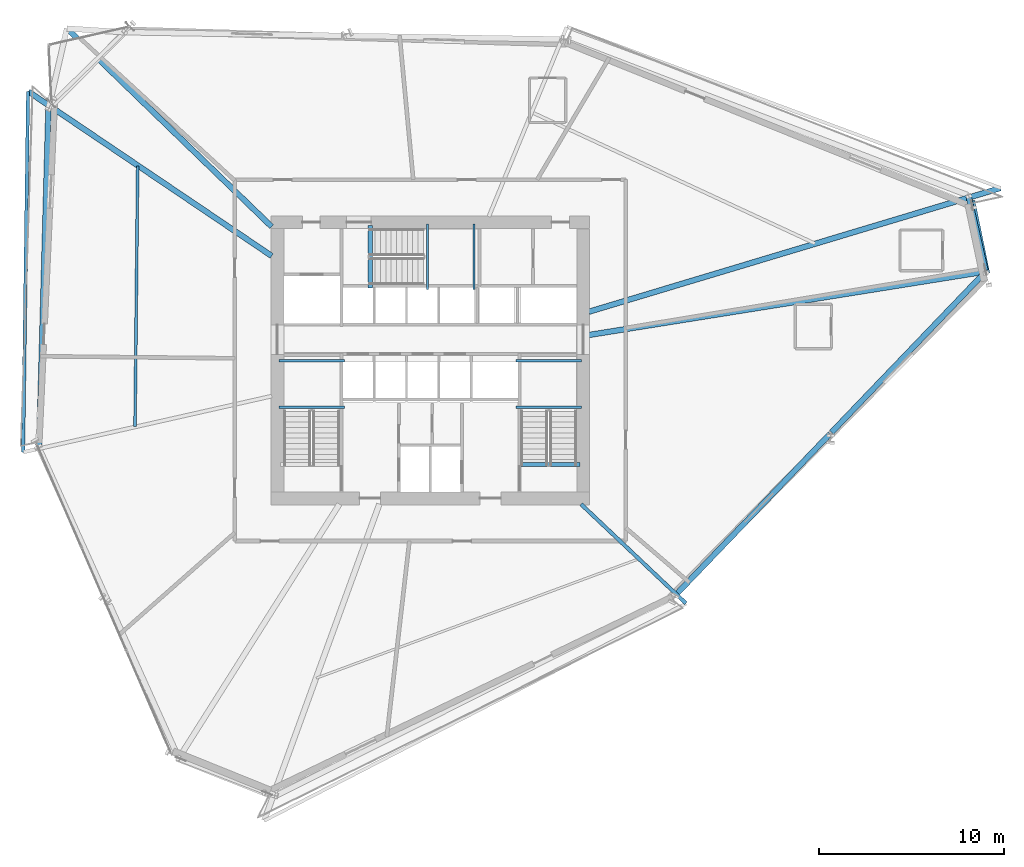
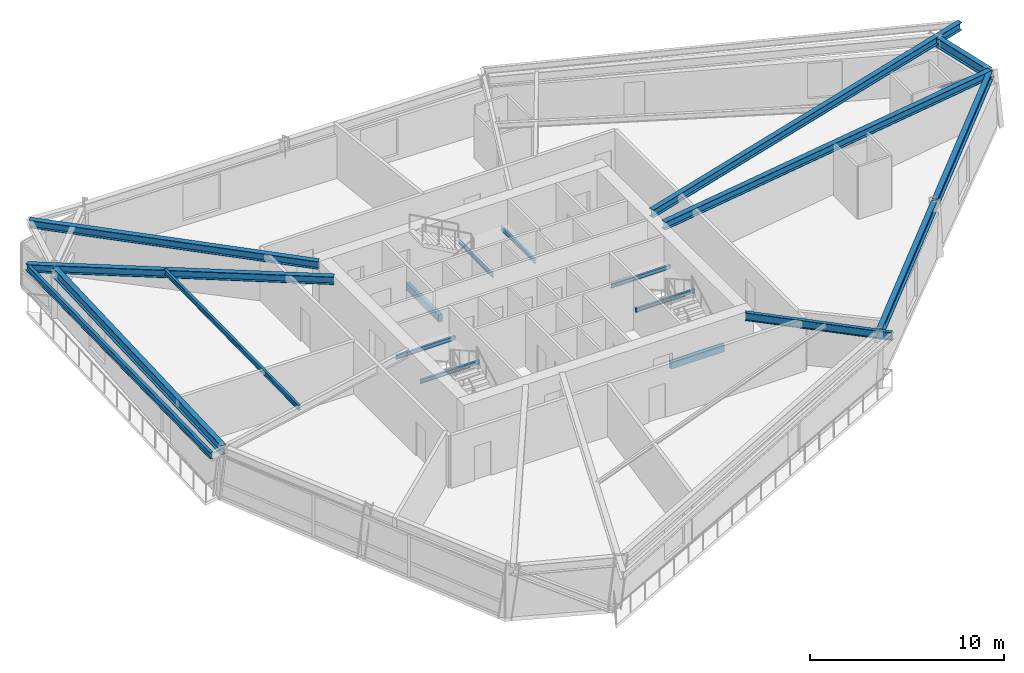
# One storey, part 7 of 19: 19 beams, 1 member.
"""IFC4 building model written with IfcOpenShell, lengths in metres."""

import ifcopenshell
import ifcopenshell.guid

model = None  # the IFC model being written
_history = None  # IfcOwnerHistory: only IFC2X3 demands one
_inside = {}  # id of a spatial element -> (the spatial element, [elements in it])
_under = {}  # id of a project, library or spatial element -> (it, [spatial elements below it])
_declared = {}  # id of a project -> (the project, [libraries it declares])
_typed = {}  # id of a type object -> (the type object, [elements of that type])
_made_of = {}  # id of a material, layer set ... -> (it, [elements and type objects made of it])


def new_model(schema):
    """Start an empty IFC model of exactly this schema.

    Asked for "IFC4X3", IfcOpenShell would pick the latest addendum, in which some entities
    have other attributes; the version numbers below select the first issue.
    IFC2X3 requires an IfcOwnerHistory on every rooted entity: one is made here for all.
    """
    global model, _history
    if schema == "IFC4X3":
        model = ifcopenshell.file(schema_version=(4, 3, 0, 0))
    else:
        model = ifcopenshell.file(schema=schema)
    _inside.clear()
    _under.clear()
    _declared.clear()
    _typed.clear()
    _made_of.clear()
    _history = None
    if model.schema == "IFC2X3":
        org = make("IfcOrganization", Name="unknown")
        user = make(
            "IfcPersonAndOrganization",
            ThePerson=make("IfcPerson", FamilyName="unknown"),
            TheOrganization=org,
        )
        app = make(
            "IfcApplication",
            ApplicationDeveloper=org,
            Version="unknown",
            ApplicationFullName="unknown",
            ApplicationIdentifier="unknown",
        )
        _history = make(
            "IfcOwnerHistory",
            OwningUser=user,
            OwningApplication=app,
            ChangeAction="ADDED",
            CreationDate=0,
        )
    return model


def make(cls, **values):
    """One entity of the class cls with the attributes given. An attribute that is None is left unset."""
    return model.create_entity(
        cls, **{name: value for name, value in values.items() if value is not None}
    )


def rooted(cls, **values):
    """An entity with a GlobalId (a new one), such as an element, a storey or a relation."""
    return make(cls, GlobalId=ifcopenshell.guid.new(), OwnerHistory=_history, **values)


def si_unit(unit_type, name, prefix=None):
    """IfcSIUnit, for example si_unit("LENGTHUNIT", "METRE", prefix="MILLI")."""
    return make("IfcSIUnit", UnitType=unit_type, Prefix=prefix, Name=name)


def assignment(units):
    """IfcUnitAssignment: the units of a project."""
    return None if units is None else make("IfcUnitAssignment", Units=units)


def point(xyz):
    """IfcCartesianPoint."""
    return None if xyz is None else make("IfcCartesianPoint", Coordinates=xyz)


def direction(xyz):
    """IfcDirection."""
    return None if xyz is None else make("IfcDirection", DirectionRatios=xyz)


def frame(location, z_axis=None, x_axis=None):
    """IfcAxis2Placement3D, a coordinate frame: its origin and axes. An axis left out is left unset."""
    return make(
        "IfcAxis2Placement3D",
        Location=point(location),
        Axis=direction(z_axis),
        RefDirection=direction(x_axis),
    )


def frame_2d(location, x_axis=None):
    """IfcAxis2Placement2D, a coordinate frame in the plane: its origin and x axis."""
    return make(
        "IfcAxis2Placement2D", Location=point(location), RefDirection=direction(x_axis)
    )


def origin():
    """The frame at (0, 0, 0) with its axes left unset."""
    return frame((0.0, 0.0, 0.0))


def origin_2d():
    """The frame at (0, 0) in the plane with its x axis left unset."""
    return frame_2d((0.0, 0.0))


def place(relative_to, where):
    """IfcLocalPlacement: puts the frame where relative to a parent placement (None: the world)."""
    return make(
        "IfcLocalPlacement", PlacementRelTo=relative_to, RelativePlacement=where
    )


def context(
    kind, dimensions, precision=None, world=None, true_north=None, identifier=None
):
    """IfcGeometricRepresentationContext, for example the 3D "Model" context."""
    return make(
        "IfcGeometricRepresentationContext",
        ContextIdentifier=identifier,
        ContextType=kind,
        CoordinateSpaceDimension=dimensions,
        Precision=precision,
        WorldCoordinateSystem=world,
        TrueNorth=true_north,
    )


def subcontext(parent, identifier, kind, view, scale=None):
    """IfcGeometricRepresentationSubContext, for example "Body" below "Model"."""
    return make(
        "IfcGeometricRepresentationSubContext",
        ContextIdentifier=identifier,
        ContextType=kind,
        ParentContext=parent,
        TargetScale=scale,
        TargetView=view,
    )


def project(units=None, contexts=None):
    """IfcProject with its units and contexts."""
    return rooted(
        "IfcProject",
        Name="project",
        RepresentationContexts=contexts,
        UnitsInContext=assignment(units),
    )


def spatial(cls, under=None, at=None, **own):
    """A site, building, storey or space (cls), placed at a placement, below another one or the project."""
    s = rooted(cls, ObjectPlacement=at, **own)
    if under is not None:
        _under.setdefault(under.id(), (under, []))[1].append(s)
    return s


def profile(cls, at=None, kind="AREA", **sizes):
    """A parametric profile (cls). Its sizes go by their IFC names, for example OverallWidth=200.0."""
    return make(cls, ProfileType=kind, Position=at, **sizes)


def rectangle(**sizes):
    """IfcRectangleProfileDef."""
    return profile("IfcRectangleProfileDef", **sizes)


def i_section(**sizes):
    """IfcIShapeProfileDef."""
    return profile("IfcIShapeProfileDef", **sizes)


def extrude(swept, where, along, depth):
    """IfcExtrudedAreaSolid: the profile swept, set in the frame where, extruded along a direction by depth."""
    return make(
        "IfcExtrudedAreaSolid",
        SweptArea=swept,
        Position=where,
        ExtrudedDirection=direction(along),
        Depth=depth,
    )


def shape(context_of_items, identifier, shape_type, items):
    """IfcShapeRepresentation: the items that make up one representation, for example the "Body"."""
    return make(
        "IfcShapeRepresentation",
        ContextOfItems=context_of_items,
        RepresentationIdentifier=identifier,
        RepresentationType=shape_type,
        Items=items,
    )


def source(mapping_origin, context_of_items, identifier, shape_type, items):
    """IfcRepresentationMap: a shape defined once, which mapped items show again and again."""
    return make(
        "IfcRepresentationMap",
        MappingOrigin=mapping_origin,
        MappedRepresentation=shape(context_of_items, identifier, shape_type, items),
    )


def transform(
    local_origin,
    x_axis=None,
    y_axis=None,
    z_axis=None,
    scale=None,
    scale2=None,
    scale3=None,
    uniform=True,
):
    """IfcCartesianTransformationOperator3D, or its non-uniform kind. x_axis, y_axis, z_axis: its Axis1, 2, 3."""
    if uniform:
        return make(
            "IfcCartesianTransformationOperator3D",
            Axis1=direction(x_axis),
            Axis2=direction(y_axis),
            LocalOrigin=point(local_origin),
            Scale=scale,
            Axis3=direction(z_axis),
        )
    return make(
        "IfcCartesianTransformationOperator3DnonUniform",
        Axis1=direction(x_axis),
        Axis2=direction(y_axis),
        LocalOrigin=point(local_origin),
        Scale=scale,
        Axis3=direction(z_axis),
        Scale2=scale2,
        Scale3=scale3,
    )


def mapped(mapping_source, mapping_target):
    """IfcMappedItem: shows the shape of a source again, moved by a transform."""
    return make(
        "IfcMappedItem", MappingSource=mapping_source, MappingTarget=mapping_target
    )


def material(Name=None, Category=None):
    """IfcMaterial."""
    return make("IfcMaterial", Name=Name, Category=Category)


def material_profile(
    of_material, cross_section, Name=None, Category=None, Priority=None
):
    """IfcMaterialProfile: a cross section and its material."""
    return make(
        "IfcMaterialProfile",
        Name=Name,
        Material=of_material,
        Profile=cross_section,
        Priority=Priority,
        Category=Category,
    )


def profile_set(profiles, Name=None, composite=None):
    """IfcMaterialProfileSet."""
    return make(
        "IfcMaterialProfileSet",
        Name=Name,
        MaterialProfiles=profiles,
        CompositeProfile=composite,
    )


def made_of(thing, what):
    """Note that an element or type object is made of a material, layer set ...; save() writes the relation."""
    if what is not None:
        _made_of.setdefault(what.id(), (what, []))[1].append(thing)
    return thing


def type_object(cls, material=None, **own):
    """A type object (cls), such as IfcWallType, which elements share."""
    return made_of(rooted(cls, **own), material)


def element(
    cls,
    number,
    at=None,
    inside=None,
    cuts=None,
    type_object=None,
    material=None,
    context=None,
    identifier="Body",
    shape_type=None,
    held_by="IfcProductDefinitionShape",
    body=None,
    shapes=None,
    **own,
):
    """One element of the class cls, such as IfcWall. Its Tag is "e" and its number.

    at: its placement. inside: the storey or other place that contains it. cuts: it is an
    opening in that element (IfcRelVoidsElement). A single representation is given by context,
    identifier, shape_type and body (its items); several are given by shapes. held_by: the class
    of the entity that holds the representations. save() writes the other relations.
    """
    e = rooted(cls, Tag="e%d" % number, ObjectPlacement=at, **own)
    if body is not None:
        shapes = [shape(context, identifier, shape_type, body)]
    if shapes is not None:
        e.Representation = make(held_by, Representations=shapes)
    if inside is not None:
        _inside.setdefault(inside.id(), (inside, []))[1].append(e)
    if cuts is not None:
        rooted(
            "IfcRelVoidsElement", RelatingBuildingElement=cuts, RelatedOpeningElement=e
        )
    if type_object is not None:
        _typed.setdefault(type_object.id(), (type_object, []))[1].append(e)
    return made_of(e, material)


def aggregate(whole, parts):
    """IfcRelAggregates: a whole, such as a stair, and the parts it consists of."""
    return rooted("IfcRelAggregates", RelatingObject=whole, RelatedObjects=parts)


def save(model, path):
    """Write the relations noted so far, then the file.

    IfcRelAggregates (storeys below a building ...), IfcRelContainedInSpatialStructure (elements
    in a storey), IfcRelDefinesByType, IfcRelAssociatesMaterial and IfcRelDeclares: one each for
    every whole, place, type object, material and project.
    """
    for whole, parts in _under.values():
        aggregate(whole, parts)
    for where, things in _inside.values():
        rooted(
            "IfcRelContainedInSpatialStructure",
            RelatedElements=things,
            RelatingStructure=where,
        )
    for kind, things in _typed.values():
        rooted("IfcRelDefinesByType", RelatedObjects=things, RelatingType=kind)
    for what, things in _made_of.values():
        rooted("IfcRelAssociatesMaterial", RelatedObjects=things, RelatingMaterial=what)
    for by, libraries in _declared.values():
        rooted("IfcRelDeclares", RelatingContext=by, RelatedDefinitions=libraries)
    model.write(path)


model = new_model("IFC4")

# Units and contexts
model_context = context("Model", 3, precision=1e-05, world=origin(), true_north=direction((0.0, 1.0)))
body_context = subcontext(model_context, "Body", "Model", "MODEL_VIEW")
ifc_project = project(units=[si_unit("LENGTHUNIT", "METRE"), si_unit("AREAUNIT", "SQUARE_METRE"), si_unit("VOLUMEUNIT", "CUBIC_METRE"), si_unit("PLANEANGLEUNIT", "RADIAN"), si_unit("MASSUNIT", "GRAM", prefix="KILO")], contexts=[model_context])

# Site, building, storey
site_placement = place(None, origin())
site = spatial("IfcSite", under=ifc_project, at=site_placement, CompositionType="ELEMENT")
building_placement = place(site_placement, origin())
building = spatial("IfcBuilding", under=site, at=building_placement, Name="Olszyna Solenne Hotel", CompositionType="ELEMENT")
storey_placement = place(building_placement, frame((0.0, 0.0, 84.39990234375)))
storey = spatial("IfcBuildingStorey", under=building, at=storey_placement, Name="L21", CompositionType="ELEMENT", Elevation=84.39990234375)

# Beams
ifc_material_1 = material(Name="Steel S355J2", Category="steel")
ifc_material_profile_1 = material_profile(ifc_material_1, i_section(OverallWidth=0.300048828125, OverallDepth=0.60009765625, WebThickness=0.015380859375, FlangeThickness=0.030029296875, at=origin_2d()), Name="HEB 600", Category="load-bearing")
ifc_profile_set_1 = profile_set([ifc_material_profile_1], Name="Steel S355J2")
beam_type_1 = type_object("IfcBeamType", Name="BM-S2", PredefinedType="BEAM", material=ifc_profile_set_1)
shared_shape_1 = source(origin(), body_context, "Body", "SweptSolid", [
    extrude(i_section(OverallWidth=0.300048828125, OverallDepth=0.60009765625, WebThickness=0.015380859375, FlangeThickness=0.030029296875, at=origin_2d()), origin(), (0.0, 0.0, 1.0), 4.090087890625),
])
beam_1_placement = place(storey_placement, frame((67.94921875, 31.4501953125, 3.0), z_axis=(-0.22073351924, 0.975334154782, 0.0), x_axis=(-0.975334154782, -0.22073351924, 0.0)))
element("IfcBeam", 1, at=beam_1_placement, inside=storey, type_object=beam_type_1, Name="Perimeter spandrel beam BM-S2 B-L21-0633", PredefinedType="BEAM", context=body_context, shape_type="MappedRepresentation", body=[
    mapped(shared_shape_1, transform((0.0, 0.0, 0.0), x_axis=(1.0, 0.0, 0.0), y_axis=(0.0, 1.0, 0.0), z_axis=(0.0, 0.0, 1.0), scale=1.0)),
])
shared_shape_2 = source(origin(), body_context, "Body", "SweptSolid", [
    extrude(i_section(OverallWidth=0.300048828125, OverallDepth=0.60009765625, WebThickness=0.015380859375, FlangeThickness=0.030029296875, at=origin_2d()), origin(), (0.0, 0.0, 1.0), 18.20654296875),
])
beam_2_placement = place(storey_placement, frame((17.39453125, 40.1025390625, 3.0), z_axis=(-0.027140654998, -0.999631624573, 0.0), x_axis=(0.999631624573, -0.027140654998, 0.0)))
element("IfcBeam", 2, at=beam_2_placement, inside=storey, type_object=beam_type_1, Name="Perimeter spandrel beam BM-S2 B-L21-0638", PredefinedType="BEAM", context=body_context, shape_type="MappedRepresentation", body=[
    mapped(shared_shape_2, transform((0.0, 0.0, 0.0), x_axis=(1.0, 0.0, 0.0), y_axis=(0.0, 1.0, 0.0), z_axis=(0.0, 0.0, 1.0), scale=1.0)),
])
shared_shape_3 = source(origin(), body_context, "Body", "SweptSolid", [
    extrude(i_section(OverallWidth=0.300048828125, OverallDepth=0.60009765625, WebThickness=0.015380859375, FlangeThickness=0.030029296875, at=origin_2d()), origin(), (0.0, 0.0, 1.0), 11.955078125),
])
beam_3_placement = place(storey_placement, frame((51.291015625, 14.001708984375, 3.0), z_axis=(0.692041962007, 0.721857273165, 0.0), x_axis=(-0.721857273165, 0.692041962007, 0.0)))
element("IfcBeam", 3, at=beam_3_placement, inside=storey, type_object=beam_type_1, Name="Perimeter spandrel beam BM-S2 B-L21-0643", PredefinedType="BEAM", context=body_context, shape_type="MappedRepresentation", body=[
    mapped(shared_shape_3, transform((0.0, 0.0, 0.0), x_axis=(1.0, 0.0, 0.0), y_axis=(0.0, 1.0, 0.0), z_axis=(0.0, 0.0, 1.0), scale=1.0)),
])
shared_shape_4 = source(origin(), body_context, "Body", "SweptSolid", [
    extrude(i_section(OverallWidth=0.300048828125, OverallDepth=0.60009765625, WebThickness=0.015380859375, FlangeThickness=0.030029296875, at=origin_2d()), origin(), (0.0, 0.0, 1.0), 11.955322265625),
])
beam_4_placement = place(storey_placement, frame((59.6474609375, 22.71826171875, 3.0), z_axis=(0.692031760442, 0.72186705323, 0.0), x_axis=(-0.72186705323, 0.692031760442, 0.0)))
element("IfcBeam", 4, at=beam_4_placement, inside=storey, type_object=beam_type_1, Name="Perimeter spandrel beam BM-S2 B-L21-0644", PredefinedType="BEAM", context=body_context, shape_type="MappedRepresentation", body=[
    mapped(shared_shape_4, transform((0.0, 0.0, 0.0), x_axis=(1.0, 0.0, 0.0), y_axis=(0.0, 1.0, 0.0), z_axis=(0.0, 0.0, 1.0), scale=1.0)),
])
ifc_material_profile_2 = material_profile(ifc_material_1, i_section(OverallWidth=0.300048828125, OverallDepth=0.489990234375, WebThickness=0.011962890625, FlangeThickness=0.02294921875, at=origin_2d()), Name="HEA 500", Category="load-bearing")
ifc_profile_set_2 = profile_set([ifc_material_profile_2], Name="Steel S355J2")
beam_type_2 = type_object("IfcBeamType", Name="BM-G1", PredefinedType="BEAM", material=ifc_profile_set_2)
shared_shape_5 = source(origin(), body_context, "Body", "SweptSolid", [
    extrude(i_section(OverallWidth=0.300048828125, OverallDepth=0.489990234375, WebThickness=0.011962890625, FlangeThickness=0.02294921875, at=origin_2d()), origin(), (0.0, 0.0, 1.0), 21.6240234375),
])
beam_5_placement = place(storey_placement, frame((67.9033203125, 31.382080078125, 3.05517578125), z_axis=(-0.987452535786, -0.157916083946, 0.0), x_axis=(0.157916083946, -0.987452535786, 0.0)))
element("IfcBeam", 5, at=beam_5_placement, inside=storey, type_object=beam_type_2, Name="Radial floor girder BM-G1 B-L21-0645", PredefinedType="BEAM", context=body_context, shape_type="MappedRepresentation", body=[
    mapped(shared_shape_5, transform((0.0, 0.0, 0.0), x_axis=(1.0, 0.0, 0.0), y_axis=(0.0, 1.0, 0.0), z_axis=(0.0, 0.0, 1.0), scale=1.0)),
])
shared_shape_6 = source(origin(), body_context, "Body", "SweptSolid", [
    extrude(i_section(OverallWidth=0.300048828125, OverallDepth=0.489990234375, WebThickness=0.011962890625, FlangeThickness=0.02294921875, at=origin_2d()), origin(), (0.0, 0.0, 1.0), 23.17822265625),
])
beam_6_placement = place(storey_placement, frame((68.749267578125, 35.8935546875, 3.05517578125), z_axis=(-0.957665819278, -0.287882230411, 0.0), x_axis=(0.287882230411, -0.957665819278, 0.0)))
element("IfcBeam", 6, at=beam_6_placement, inside=storey, type_object=beam_type_2, Name="Radial floor girder BM-G1 B-L21-0646", PredefinedType="BEAM", context=body_context, shape_type="MappedRepresentation", body=[
    mapped(shared_shape_6, transform((0.0, 0.0, 0.0), x_axis=(1.0, 0.0, 0.0), y_axis=(0.0, 1.0, 0.0), z_axis=(0.0, 0.0, 1.0), scale=1.0)),
])
shared_shape_7 = source(origin(), body_context, "Body", "SweptSolid", [
    extrude(i_section(OverallWidth=0.300048828125, OverallDepth=0.489990234375, WebThickness=0.011962890625, FlangeThickness=0.02294921875, at=origin_2d()), origin(), (0.0, 0.0, 1.0), 15.347900390625),
])
beam_7_placement = place(storey_placement, frame((18.408935546875, 44.4892578125, 3.05517578125), z_axis=(0.718615732263, -0.695407383729, 0.0), x_axis=(0.695407383729, 0.718615732263, 0.0)))
element("IfcBeam", 7, at=beam_7_placement, inside=storey, type_object=beam_type_2, Name="Radial floor girder BM-G1 B-L21-0648", PredefinedType="BEAM", context=body_context, shape_type="MappedRepresentation", body=[
    mapped(shared_shape_7, transform((0.0, 0.0, 0.0), x_axis=(1.0, 0.0, 0.0), y_axis=(0.0, 1.0, 0.0), z_axis=(0.0, 0.0, 1.0), scale=1.0)),
])
shared_shape_8 = source(origin(), body_context, "Body", "SweptSolid", [
    extrude(i_section(OverallWidth=0.300048828125, OverallDepth=0.489990234375, WebThickness=0.011962890625, FlangeThickness=0.02294921875, at=origin_2d()), origin(), (0.0, 0.0, 1.0), 15.841796875),
])
beam_8_placement = place(storey_placement, frame((16.314208984375, 41.1005859375, 3.05517578125), z_axis=(0.828673009639, -0.559733010547, 0.0), x_axis=(0.559733010547, 0.828673009639, 0.0)))
element("IfcBeam", 8, at=beam_8_placement, inside=storey, type_object=beam_type_2, Name="Radial floor girder BM-G1 B-L21-0649", PredefinedType="BEAM", context=body_context, shape_type="MappedRepresentation", body=[
    mapped(shared_shape_8, transform((0.0, 0.0, 0.0), x_axis=(1.0, 0.0, 0.0), y_axis=(0.0, 1.0, 0.0), z_axis=(0.0, 0.0, 1.0), scale=1.0)),
])
ifc_material_profile_3 = material_profile(ifc_material_1, i_section(OverallWidth=0.199951171875, OverallDepth=0.5, WebThickness=0.01025390625, FlangeThickness=0.01611328125, at=origin_2d()), Name="IPE 500", Category="load-bearing")
ifc_profile_set_3 = profile_set([ifc_material_profile_3], Name="Steel S355J2")
beam_type_3 = type_object("IfcBeamType", Name="BM-F3", PredefinedType="BEAM", material=ifc_profile_set_3)
shared_shape_9 = source(origin(), body_context, "Body", "SweptSolid", [
    extrude(i_section(OverallWidth=0.199951171875, OverallDepth=0.5, WebThickness=0.01025390625, FlangeThickness=0.01611328125, at=origin_2d()), origin(), (0.0, 0.0, 1.0), 7.768798828125),
])
beam_9_placement = place(storey_placement, frame((51.7841796875, 13.497314453125, 3.050048828125), z_axis=(-0.726658349206, 0.686999012757, 0.0), x_axis=(-0.686999012757, -0.726658349206, 0.0)))
element("IfcBeam", 9, at=beam_9_placement, inside=storey, type_object=beam_type_3, Name="Radial floor girder BM-F3 B-L21-0653", PredefinedType="BEAM", context=body_context, shape_type="MappedRepresentation", body=[
    mapped(shared_shape_9, transform((0.0, 0.0, 0.0), x_axis=(1.0, 0.0, 0.0), y_axis=(0.0, 1.0, 0.0), z_axis=(0.0, 0.0, 1.0), scale=1.0)),
])
ifc_material_profile_4 = material_profile(ifc_material_1, i_section(OverallWidth=0.14990234375, OverallDepth=0.300048828125, WebThickness=0.007080078125, FlangeThickness=0.0107421875, at=origin_2d()), Name="IPE 300", Category="load-bearing")
ifc_profile_set_4 = profile_set([ifc_material_profile_4], Name="Steel S355J2")
beam_type_4 = type_object("IfcBeamType", Name="JS-02", PredefinedType="JOIST", material=ifc_profile_set_4)
shared_shape_10 = source(origin(), body_context, "Body", "SweptSolid", [
    extrude(i_section(OverallWidth=0.14990234375, OverallDepth=0.300048828125, WebThickness=0.007080078125, FlangeThickness=0.0107421875, at=origin_2d()), origin(), (0.0, 0.0, 1.0), 14.072021484375),
])
beam_10_placement = place(storey_placement, frame((22.21240234375, 37.0966796875, 3.150146484375), z_axis=(-0.010166731106, -0.999948317454, 0.0), x_axis=(0.999948317454, -0.010166731106, 0.0)))
element("IfcBeam", 10, at=beam_10_placement, inside=storey, type_object=beam_type_4, Name="Secondary composite floor joist JS-02 B-L21-0657", PredefinedType="JOIST", context=body_context, shape_type="MappedRepresentation", body=[
    mapped(shared_shape_10, transform((0.0, 0.0, 0.0), x_axis=(1.0, 0.0, 0.0), y_axis=(0.0, 1.0, 0.0), z_axis=(0.0, 0.0, 1.0), scale=1.0)),
])
ifc_material_profile_5 = material_profile(ifc_material_1, i_section(OverallWidth=0.179931640625, OverallDepth=0.39990234375, WebThickness=0.008544921875, FlangeThickness=0.013427734375, at=origin_2d()), Name="IPE 400", Category="load-bearing")
ifc_profile_set_5 = profile_set([ifc_material_profile_5], Name="Steel S355J2")
beam_type_5 = type_object("IfcBeamType", Name="BM-F5", PredefinedType="BEAM", material=ifc_profile_set_5)
shared_shape_11 = source(origin(), body_context, "Body", "SweptSolid", [
    extrude(i_section(OverallWidth=0.179931640625, OverallDepth=0.39990234375, WebThickness=0.008544921875, FlangeThickness=0.013427734375, at=origin_2d()), origin(), (0.0, 0.0, 1.0), 19.4716796875),
])
beam_11_placement = place(storey_placement, frame((16.297607421875, 41.11181640625, 3.10009765625), z_axis=(-0.013679142332, -0.999906436155, 0.0), x_axis=(0.999906436155, -0.013679142332, 0.0)))
element("IfcBeam", 11, at=beam_11_placement, inside=storey, type_object=beam_type_5, Name="Loggia outer edge beam BM-F5 B-L21-0660", PredefinedType="BEAM", context=body_context, shape_type="MappedRepresentation", body=[
    mapped(shared_shape_11, transform((0.0, 0.0, 0.0), x_axis=(1.0, 0.0, 0.0), y_axis=(0.0, 1.0, 0.0), z_axis=(0.0, 0.0, 1.0), scale=1.0)),
])

# Member
ifc_material_2 = material(Name="Steel S460M", Category="steel")
ifc_material_profile_6 = material_profile(ifc_material_2, i_section(OverallWidth=0.406005859375, OverallDepth=0.416015625, WebThickness=0.026611328125, FlangeThickness=0.04150390625, at=origin_2d()), Name="HD 400x382", Category="load-bearing")
ifc_profile_set_6 = profile_set([ifc_material_profile_6], Name="Steel S460M")
member_type = type_object("IfcMemberType", Name="BR-T2", PredefinedType="BRACE", material=ifc_profile_set_6)
shared_shape_12 = source(origin(), body_context, "Body", "SweptSolid", [
    extrude(i_section(OverallWidth=0.406005859375, OverallDepth=0.416015625, WebThickness=0.026611328125, FlangeThickness=0.04150390625, at=origin_2d()), origin(), (0.0, 0.0, 1.0), 4.78076171875),
])
member_placement = place(storey_placement, frame((67.208740234375, 35.069091796875, 0.010009765625), z_axis=(0.157647974608, -0.769242449473, 0.61920365796), x_axis=(0.979639121179, 0.200766511789, 0.0)))
element("IfcMember", 12, at=member_placement, inside=storey, type_object=member_type, Name="Perimeter braced-tube diagonal BR-T2 BR-L21-1", PredefinedType="BRACE", context=body_context, shape_type="MappedRepresentation", body=[
    mapped(shared_shape_12, transform((0.0, 0.0, 0.0), x_axis=(1.0, 0.0, 0.0), y_axis=(0.0, 1.0, 0.0), z_axis=(0.0, 0.0, 1.0), scale=1.0)),
])

# Beams
ifc_material_profile_7 = material_profile(ifc_material_1, i_section(OverallWidth=0.1201171875, OverallDepth=0.239990234375, WebThickness=0.006103515625, FlangeThickness=0.009765625, at=origin_2d()), Name="IPE 240", Category="load-bearing")
ifc_profile_set_7 = profile_set([ifc_material_profile_7], Name="Steel S355J2")
beam_type_6 = type_object("IfcBeamType", Name="JS-03", PredefinedType="JOIST", material=ifc_profile_set_7)
shared_shape_13 = source(origin(), body_context, "Body", "SweptSolid", [
    extrude(i_section(OverallWidth=0.1201171875, OverallDepth=0.239990234375, WebThickness=0.006103515625, FlangeThickness=0.009765625, at=origin_2d()), origin(), (0.0, 0.0, 1.0), 3.539794921875),
])
for number, where, z_axis, x_axis, name in (
    (13, (33.3798828125, 24.070068359375, 1.4501953125), (-1.0, 0.0, 0.0), (0.0, -1.0, 0.0), "Stair landing support beam JS-03 SLB-ST1-0047"),
    (14, (33.3798828125, 26.580078125, 1.4501953125), (-1.0, 0.0, 0.0), (0.0, -1.0, 0.0), "Stair landing support beam JS-03 SLB-ST1-0048"),
    (15, (46.159912109375, 24.070068359375, 1.4501953125), (-1.0, 0.0, 0.0), (0.0, -1.0, 0.0), "Stair landing support beam JS-03 SLB-ST2-0287"),
    (16, (46.159912109375, 26.580078125, 1.4501953125), (-1.0, 0.0, 0.0), (0.0, -1.0, 0.0), "Stair landing support beam JS-03 SLB-ST2-0288"),
):
    element("IfcBeam", number, at=place(storey_placement, frame(where, z_axis=z_axis, x_axis=x_axis)), inside=storey, type_object=beam_type_6, Name=name, PredefinedType="JOIST", context=body_context, shape_type="MappedRepresentation", body=[
        mapped(shared_shape_13, transform((0.0, 0.0, 0.0), x_axis=(1.0, 0.0, 0.0), y_axis=(0.0, 1.0, 0.0), z_axis=(0.0, 0.0, 1.0), scale=1.0)),
    ])
ifc_material_3 = material(Name="Concrete C50/60", Category="concrete")
ifc_material_profile_8 = material_profile(ifc_material_3, rectangle(XDim=0.219970703125, YDim=0.43994140625, at=origin_2d()), Name="RC 220x440", Category="load-bearing")
ifc_profile_set_8 = profile_set([ifc_material_profile_8], Name="Concrete C50/60")
beam_type_7 = type_object("IfcBeamType", Name="BM-ST1", PredefinedType="BEAM", material=ifc_profile_set_8)
shared_shape_14 = source(origin(), body_context, "Body", "SweptSolid", [
    extrude(rectangle(XDim=0.219970703125, YDim=0.43994140625, at=origin_2d()), origin(), (0.0, 0.0, 1.0), 3.18017578125),
])
beam_12_placement = place(storey_placement, frame((46.080078125, 20.97998046875, -0.204833984375), z_axis=(-1.0, 0.0, 0.0), x_axis=(0.0, -1.0, 0.0)))
element("IfcBeam", 17, at=beam_12_placement, inside=storey, type_object=beam_type_7, Name="Concrete stair trimmer beam BM-ST1 SHB-ST2-0423", PredefinedType="BEAM", context=body_context, shape_type="MappedRepresentation", body=[
    mapped(shared_shape_14, transform((0.0, 0.0, 0.0), x_axis=(1.0, 0.0, 0.0), y_axis=(0.0, 1.0, 0.0), z_axis=(0.0, 0.0, 1.0), scale=1.0)),
])
shared_shape_15 = source(origin(), body_context, "Body", "SweptSolid", [
    extrude(i_section(OverallWidth=0.1201171875, OverallDepth=0.239990234375, WebThickness=0.006103515625, FlangeThickness=0.009765625, at=origin_2d()), origin(), (0.0, 0.0, 1.0), 3.5400390625),
])
for number, where, z_axis, x_axis, name in (
    (18, (37.85009765625, 30.419921875, 1.4501953125), (0.0, 1.0, 0.0), (-1.0, 0.0, 0.0), "Stair landing support beam JS-03 SLB-ST3-0527"),
    (19, (40.360107421875, 30.419921875, 1.4501953125), (0.0, 1.0, 0.0), (-1.0, 0.0, 0.0), "Stair landing support beam JS-03 SLB-ST3-0528"),
):
    element("IfcBeam", number, at=place(storey_placement, frame(where, z_axis=z_axis, x_axis=x_axis)), inside=storey, type_object=beam_type_6, Name=name, PredefinedType="JOIST", context=body_context, shape_type="MappedRepresentation", body=[
        mapped(shared_shape_15, transform((0.0, 0.0, 0.0), x_axis=(1.0, 0.0, 0.0), y_axis=(0.0, 1.0, 0.0), z_axis=(0.0, 0.0, 1.0), scale=1.0)),
    ])
shared_shape_16 = source(origin(), body_context, "Body", "SweptSolid", [
    extrude(rectangle(XDim=0.219970703125, YDim=0.43994140625, at=origin_2d()), origin(), (0.0, 0.0, 1.0), 3.3798828125),
])
beam_13_placement = place(storey_placement, frame((34.760009765625, 30.5, -0.204833984375), z_axis=(0.0, 1.0, 0.0), x_axis=(-1.0, 0.0, 0.0)))
element("IfcBeam", 20, at=beam_13_placement, inside=storey, type_object=beam_type_7, Name="Concrete stair trimmer beam BM-ST1 SHB-ST3-0661", PredefinedType="BEAM", context=body_context, shape_type="MappedRepresentation", body=[
    mapped(shared_shape_16, transform((0.0, 0.0, 0.0), x_axis=(1.0, 0.0, 0.0), y_axis=(0.0, 1.0, 0.0), z_axis=(0.0, 0.0, 1.0), scale=1.0)),
])

save(model, "model.ifc")
